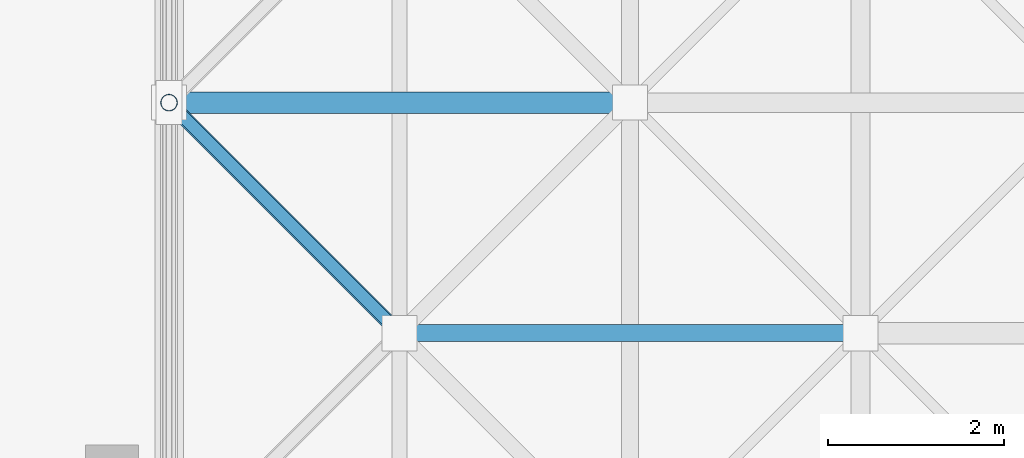
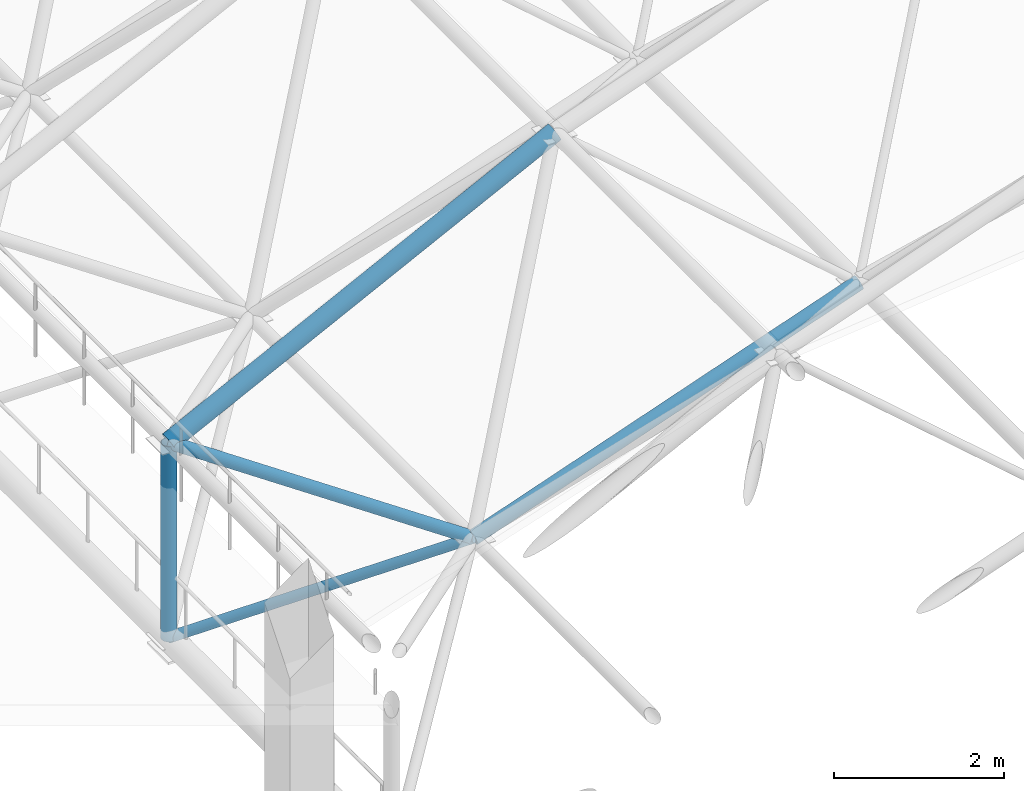
# One storey, part 12 of 100: 5 members.
"""IFC4 building model written with IfcOpenShell, lengths in metres."""

from ifc_helpers import new_model, si_unit, direction, frame, origin, origin_2d, place, context, subcontext, project, spatial, hollow_circle, extrude, material, material_profile, profile_set, type_object, element, save


model = new_model("IFC4")

# Units and contexts
model_context = context("Model", 3, precision=1e-05, world=origin(), true_north=direction((0.0, 1.0)))
body_context = subcontext(model_context, "Body", "Model", "MODEL_VIEW")
ifc_project = project(units=[si_unit("LENGTHUNIT", "METRE"), si_unit("AREAUNIT", "SQUARE_METRE"), si_unit("VOLUMEUNIT", "CUBIC_METRE"), si_unit("PLANEANGLEUNIT", "RADIAN"), si_unit("MASSUNIT", "GRAM", prefix="KILO")], contexts=[model_context])

# Site, building, storey
site_placement = place(None, origin())
site = spatial("IfcSite", under=ifc_project, at=site_placement, CompositionType="ELEMENT")
building_placement = place(site_placement, origin())
building = spatial("IfcBuilding", under=site, at=building_placement, Name="Kiln Court Media Centre", CompositionType="ELEMENT")
storey_placement = place(building_placement, frame((0.0, 0.0, 15.0)))
storey = spatial("IfcBuildingStorey", under=building, at=storey_placement, Name="L03", CompositionType="ELEMENT", Elevation=15.0)

# Members
ifc_material_1 = material(Name="Steel ASTM A500 Gr C", Category="steel")
ifc_material_profile_1 = material_profile(ifc_material_1, hollow_circle(Radius=0.06982421875, WallThickness=0.0048828125, at=origin_2d()), Name="CHS 139.7x5.0")
ifc_profile_set_1 = profile_set([ifc_material_profile_1], Name="Steel ASTM A500 Gr C")
member_type_1 = type_object("IfcMemberType", Name="Steel ASTM A500 Gr C CHS 139.7x5.0 space frame brace", PredefinedType="BRACE", material=ifc_profile_set_1)
member_1_placement = place(storey_placement, frame((58.800048828125, 46.199951171875, 0.18994140625), z_axis=(0.614895163376, -0.614895163376, 0.493769051394), x_axis=(0.707106781187, 0.707106781187, 0.0)))
element("IfcMember", 1, at=member_1_placement, inside=storey, type_object=member_type_1, Name="V1 roof bearing tie first 5 space frame brace", PredefinedType="BRACE", context=body_context, shape_type="SweptSolid", body=[
    extrude(hollow_circle(Radius=0.06982421875, WallThickness=0.0048828125, at=origin_2d()), origin(), (0.0, 0.0, 1.0), 4.26904296875),
])
ifc_material_2 = material(Name="Steel ASTM A500 Gr C", Category="steel")
ifc_material_profile_2 = material_profile(ifc_material_2, hollow_circle(Radius=0.084228515625, WallThickness=0.00634765625, at=origin_2d()), Name="CHS 168.3x6.3")
ifc_profile_set_2 = profile_set([ifc_material_profile_2], Name="Steel ASTM A500 Gr C")
member_type_2 = type_object("IfcMemberType", Name="Steel ASTM A500 Gr C CHS 168.3x6.3 space frame brace", PredefinedType="BRACE", material=ifc_profile_set_2)
member_2_placement = place(storey_placement, frame((61.425048828125, 43.574951171875, 2.2978515625), z_axis=(-0.694788256549, 0.694788256549, 0.185845519516), x_axis=(-0.707106781187, -0.707106781187, 0.0)))
element("IfcMember", 2, at=member_2_placement, inside=storey, type_object=member_type_2, Name="V1 roof diagonal 1-4 space frame brace", PredefinedType="BRACE", context=body_context, shape_type="SweptSolid", body=[
    extrude(hollow_circle(Radius=0.084228515625, WallThickness=0.00634765625, at=origin_2d()), origin(), (0.0, 0.0, 1.0), 3.778076171875),
])
ifc_material_3 = material(Name="Steel ASTM A500 Gr C", Category="steel")
ifc_material_profile_3 = material_profile(ifc_material_3, hollow_circle(Radius=0.096923828125, WallThickness=0.008056640625, at=origin_2d()), Name="CHS 193.7x8.0")
ifc_profile_set_3 = profile_set([ifc_material_profile_3], Name="Steel ASTM A500 Gr C")
member_type_3 = type_object("IfcMemberType", Name="Steel ASTM A500 Gr C CHS 193.7x8.0 space frame chord", PredefinedType="CHORD", material=ifc_profile_set_3)
member_3_placement = place(storey_placement, frame((61.425048828125, 43.574951171875, 2.2978515625), z_axis=(0.943959597571, 0.0, 0.330061021863), x_axis=(0.0, 1.0, 0.0)))
element("IfcMember", 3, at=member_3_placement, inside=storey, type_object=member_type_3, Name="V1 roof bottom chord across line 4 space frame chord", PredefinedType="CHORD", context=body_context, shape_type="SweptSolid", body=[
    extrude(hollow_circle(Radius=0.096923828125, WallThickness=0.008056640625, at=origin_2d()), origin(), (0.0, 0.0, 1.0), 5.561767578125),
])
ifc_material_4 = material(Name="Steel ASTM A500 Gr C", Category="steel")
ifc_material_profile_4 = material_profile(ifc_material_4, hollow_circle(Radius=0.096923828125, WallThickness=0.008056640625, at=origin_2d()), Name="CHS 193.7x8.0")
ifc_profile_set_4 = profile_set([ifc_material_profile_4], Name="Steel ASTM A500 Gr C")
member_type_4 = type_object("IfcMemberType", Name="Steel ASTM A500 Gr C CHS 193.7x8.0 space frame strut", PredefinedType="STRUT", material=ifc_profile_set_4)
member_4_placement = place(storey_placement, frame((58.800048828125, 46.199951171875, 0.18994140625), z_axis=(0.0, 0.0, 1.0), x_axis=(1.0, 0.0, 0.0)))
element("IfcMember", 4, at=member_4_placement, inside=storey, type_object=member_type_4, Name="V1 roof bearing post first 5 space frame strut", PredefinedType="STRUT", context=body_context, shape_type="SweptSolid", body=[
    extrude(hollow_circle(Radius=0.096923828125, WallThickness=0.008056640625, at=origin_2d()), origin(), (0.0, 0.0, 1.0), 2.81005859375),
])
ifc_material_5 = material(Name="Steel ASTM A500 Gr C", Category="steel")
ifc_material_profile_5 = material_profile(ifc_material_5, hollow_circle(Radius=0.122314453125, WallThickness=0.010009765625, at=origin_2d()), Name="CHS 244.5x10.0")
ifc_profile_set_5 = profile_set([ifc_material_profile_5], Name="Steel ASTM A500 Gr C")
member_type_5 = type_object("IfcMemberType", Name="Steel ASTM A500 Gr C CHS 244.5x10.0 space frame chord", PredefinedType="CHORD", material=ifc_profile_set_5)
member_5_placement = place(storey_placement, frame((58.800048828125, 46.199951171875, 3.0), z_axis=(0.894427191, 0.0, 0.4472135955), x_axis=(0.0, 1.0, 0.0)))
element("IfcMember", 5, at=member_5_placement, inside=storey, type_object=member_type_5, Name="V1 roof top chord across line 5 space frame chord", PredefinedType="CHORD", context=body_context, shape_type="SweptSolid", body=[
    extrude(hollow_circle(Radius=0.122314453125, WallThickness=0.010009765625, at=origin_2d()), origin(), (0.0, 0.0, 1.0), 5.86962890625),
])

save(model, "model.ifc")
